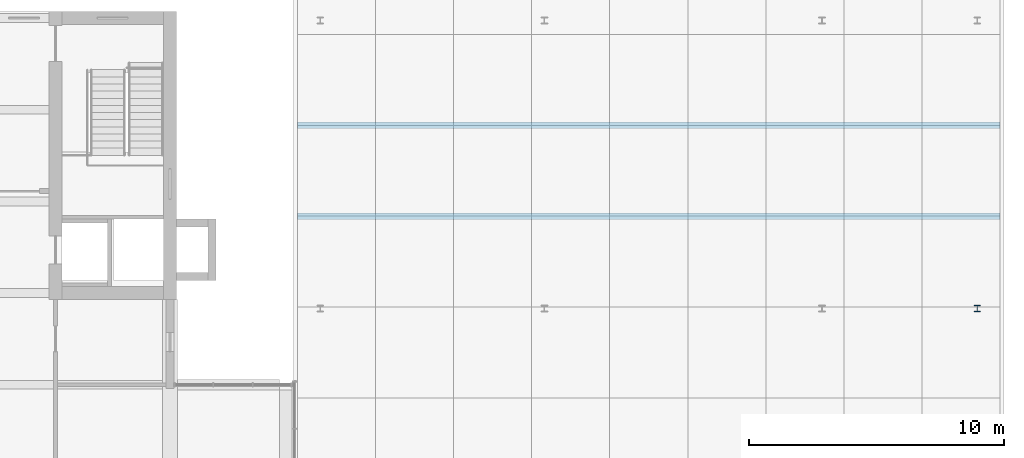
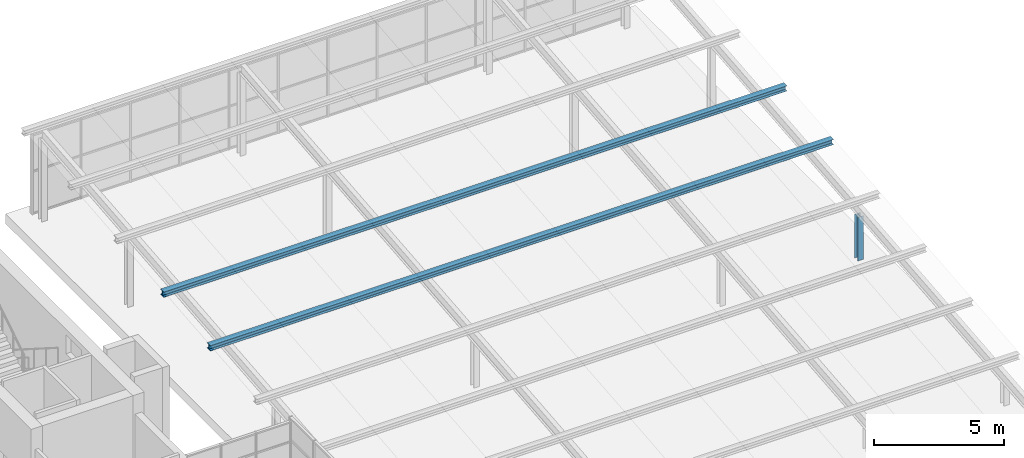
# One storey, part 24 of 44: 3 members.
"""IFC4 building model written with IfcOpenShell, lengths in metres."""

from ifc_helpers import new_model, si_unit, direction, frame, origin, origin_2d, place, context, subcontext, project, spatial, i_section, extrude, material, material_profile, profile_set, type_object, element, save


model = new_model("IFC4")

# Units and contexts
model_context = context("Model", 3, precision=1e-05, world=origin(), true_north=direction((0.0, 1.0)))
body_context = subcontext(model_context, "Body", "Model", "MODEL_VIEW")
ifc_project = project(units=[si_unit("LENGTHUNIT", "METRE"), si_unit("AREAUNIT", "SQUARE_METRE"), si_unit("VOLUMEUNIT", "CUBIC_METRE"), si_unit("PLANEANGLEUNIT", "RADIAN"), si_unit("MASSUNIT", "GRAM", prefix="KILO")], contexts=[model_context])

# Site, building, storey
site_placement = place(None, origin())
site = spatial("IfcSite", under=ifc_project, at=site_placement, CompositionType="ELEMENT")
building_placement = place(site_placement, origin())
building = spatial("IfcBuilding", under=site, at=building_placement, Name="Basin Gate Institute", CompositionType="ELEMENT")
storey_placement = place(building_placement, frame((0.0, 0.0, 27.0)))
storey = spatial("IfcBuildingStorey", under=building, at=storey_placement, Name="L05", CompositionType="ELEMENT", Elevation=27.0)

# Members
ifc_material_1 = material(Name="Structural steel SN490", Category="steel")
ifc_material_profile_1 = material_profile(ifc_material_1, i_section(OverallWidth=0.25, OverallDepth=0.25, WebThickness=0.009033203125, FlangeThickness=0.013916015625, FilletRadius=0.01611328125, at=origin_2d()), Name="H250x250")
ifc_profile_set_1 = profile_set([ifc_material_profile_1], Name="Structural steel SN490")
member_type_1 = type_object("IfcMemberType", Name="Umbrella post TC3 R120", PredefinedType="POST", material=ifc_profile_set_1)
member_placement = place(storey_placement, frame((150.5, 88.5, 0.0), z_axis=(0.0, 0.0, 1.0), x_axis=(1.0, 0.0, 0.0)))
element("IfcMember", 1, at=member_placement, inside=storey, type_object=member_type_1, material=ifc_profile_set_1, Name="Umbrella roof post 4/3", PredefinedType="POST", context=body_context, shape_type="SweptSolid", body=[
    extrude(i_section(OverallWidth=0.25, OverallDepth=0.25, WebThickness=0.009033203125, FlangeThickness=0.013916015625, FilletRadius=0.01611328125, at=origin_2d()), origin(), (0.0, 0.0, 1.0), 2.042724609375),
])
ifc_material_2 = material(Name="Structural steel SN490", Category="steel")
ifc_material_profile_2 = material_profile(ifc_material_2, i_section(OverallWidth=0.25, OverallDepth=0.25, WebThickness=0.009033203125, FlangeThickness=0.013916015625, FilletRadius=0.01611328125, at=origin_2d()), Name="H250x250")
ifc_profile_set_2 = profile_set([ifc_material_profile_2], Name="Structural steel SN490")
member_type_2 = type_object("IfcMemberType", Name="Umbrella purlin TC3 R120", PredefinedType="PURLIN", material=ifc_profile_set_2)
for number, where, z_axis, x_axis, name in (
    (2, (123.800048828125, 92.1201171875, 3.021484375), (1.0, 0.0, 0.0), (0.0, 1.0, 0.0), "Umbrella roof purlin 7"),
    (3, (123.800048828125, 95.68994140625, 3.367919921875), (1.0, 0.0, 0.0), (0.0, 1.0, 0.0), "Umbrella roof purlin 8"),
):
    element("IfcMember", number, at=place(storey_placement, frame(where, z_axis=z_axis, x_axis=x_axis)), inside=storey, type_object=member_type_2, material=ifc_profile_set_2, Name=name, PredefinedType="PURLIN", context=body_context, shape_type="SweptSolid", body=[
        extrude(i_section(OverallWidth=0.25, OverallDepth=0.25, WebThickness=0.009033203125, FlangeThickness=0.013916015625, FilletRadius=0.01611328125, at=origin_2d()), origin(), (0.0, 0.0, 1.0), 27.599853515625),
    ])

save(model, "model.ifc")
